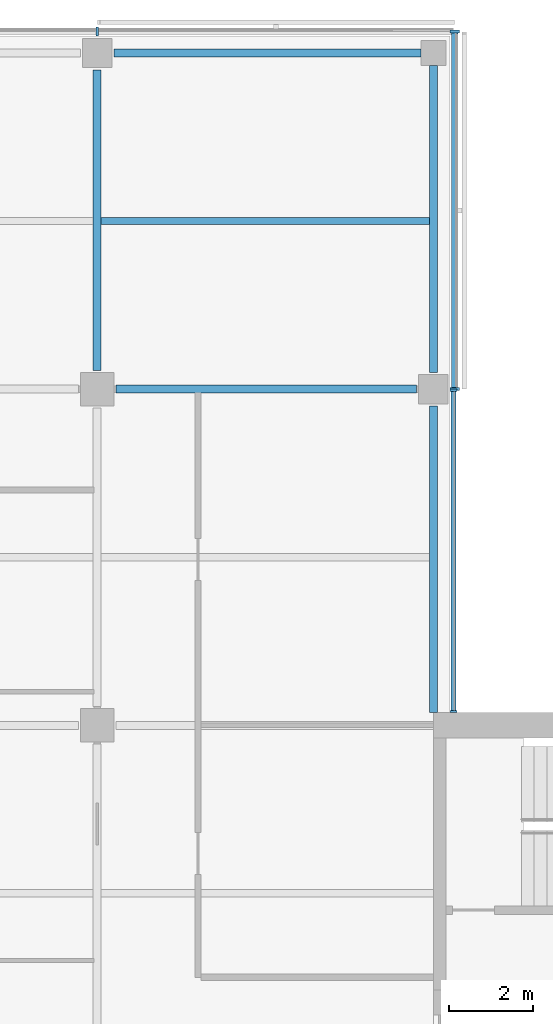
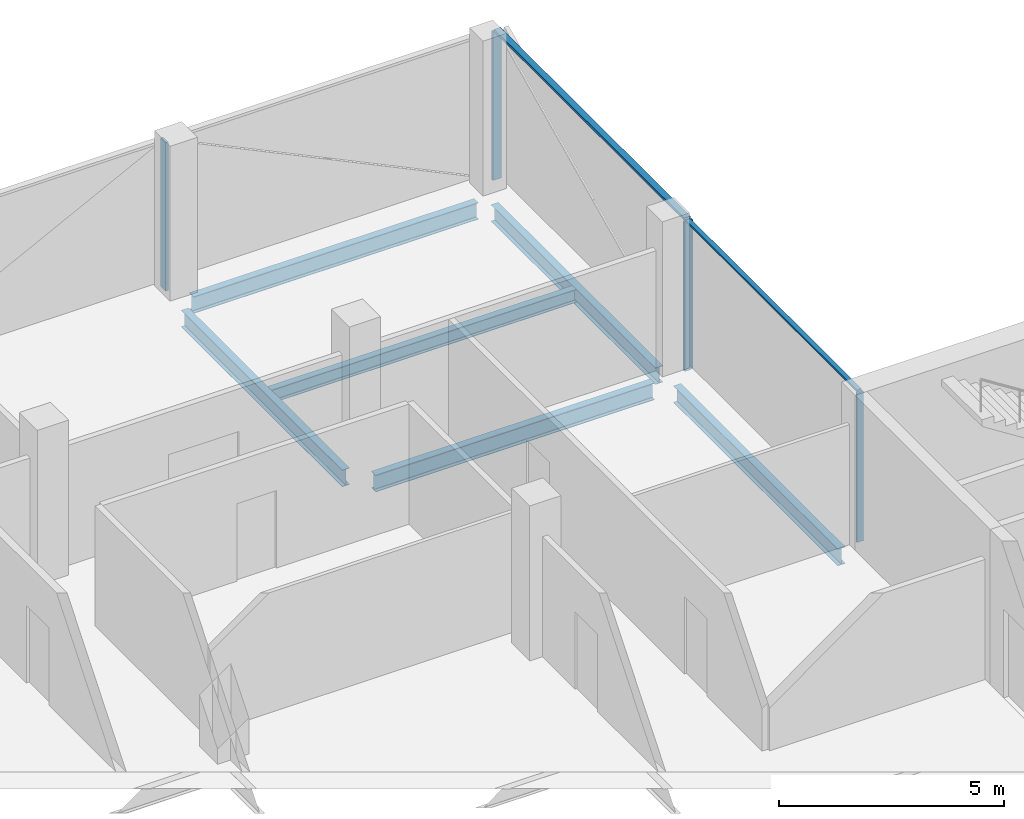
# One storey, part 7 of 15: 7 members, 6 beams, 3 elements without a shape of their own.
"""IFC4 building model written with IfcOpenShell, lengths in metres."""

from ifc_helpers import new_model, si_unit, direction, frame, origin, origin_2d, place, context, subcontext, project, spatial, rectangle, i_section, extrude, material, material_profile, profile_set, type_object, element, aggregate, save


model = new_model("IFC4")

# Units and contexts
model_context = context("Model", 3, precision=1e-05, world=origin(), true_north=direction((0.0, 1.0)))
body_context = subcontext(model_context, "Body", "Model", "MODEL_VIEW")
ifc_project = project(units=[si_unit("LENGTHUNIT", "METRE"), si_unit("AREAUNIT", "SQUARE_METRE"), si_unit("VOLUMEUNIT", "CUBIC_METRE"), si_unit("PLANEANGLEUNIT", "RADIAN"), si_unit("MASSUNIT", "GRAM", prefix="KILO")], contexts=[model_context])

# Site, building, storey
site_placement = place(None, origin())
site = spatial("IfcSite", under=ifc_project, at=site_placement, CompositionType="ELEMENT")
building_placement = place(site_placement, origin())
building = spatial("IfcBuilding", under=site, at=building_placement, Name="Crosswind Convention Tower", CompositionType="ELEMENT")
storey_placement = place(building_placement, frame((0.0, 0.0, 233.5)))
storey = spatial("IfcBuildingStorey", under=building, at=storey_placement, Name="L50", CompositionType="ELEMENT", Elevation=233.5)

# Beams
ifc_material_1 = material(Name="Steel S355", Category="steel")
ifc_material_profile_1 = material_profile(ifc_material_1, i_section(OverallWidth=0.18994140625, OverallDepth=0.45361328125, WebThickness=0.008544921875, FlangeThickness=0.0126953125, FilletRadius=0.01025390625, at=origin_2d()), Name="UB 457x191x67")
ifc_profile_set_1 = profile_set([ifc_material_profile_1], Name="Steel S355")
beam_type_1 = type_object("IfcBeamType", Name="Edge beam UB 457x191x67", PredefinedType="SPANDREL", material=ifc_profile_set_1)
for number, where, z_axis, x_axis, name in (
    (1, (129.39990234375, 128.0, -0.52685546875), (1.0, 0.0, 0.0), (0.0, 1.0, 0.0), "B16 L50 edge beam 10"),
    (2, (137.0, 112.300048828125, -0.52685546875), (0.0, 1.0, 0.0), (-1.0, 0.0, 0.0), "B16 L50 edge beam 13"),
    (3, (137.0, 120.39990234375, -0.52685546875), (0.0, 1.0, 0.0), (-1.0, 0.0, 0.0), "B16 L50 edge beam 14"),
):
    element("IfcBeam", number, at=place(storey_placement, frame(where, z_axis=z_axis, x_axis=x_axis)), inside=storey, type_object=beam_type_1, Name=name, PredefinedType="SPANDREL", context=body_context, shape_type="SweptSolid", body=[
        extrude(i_section(OverallWidth=0.18994140625, OverallDepth=0.45361328125, WebThickness=0.008544921875, FlangeThickness=0.0126953125, FilletRadius=0.01025390625, at=origin_2d()), origin(), (0.0, 0.0, 1.0), 7.300048828125),
    ])
ifc_material_profile_2 = material_profile(ifc_material_1, i_section(OverallWidth=0.1904296875, OverallDepth=0.457275390625, WebThickness=0.009033203125, FlangeThickness=0.014404296875, FilletRadius=0.01025390625, at=origin_2d()), Name="UB 457x191x75")
ifc_profile_set_2 = profile_set([ifc_material_profile_2], Name="Steel S355")
beam_type_2 = type_object("IfcBeamType", Name="Girder UB 457x191x75", PredefinedType="BEAM", material=ifc_profile_set_2)
for number, where, z_axis, x_axis, name in (
    (4, (129.0, 120.449951171875, -0.528564453125), (0.0, 1.0, 0.0), (-1.0, 0.0, 0.0), "B2 L50 girder 22"),
    (5, (129.449951171875, 120.0, -0.528564453125), (1.0, 0.0, 0.0), (0.0, 1.0, 0.0), "B2 L50 girder 24"),
):
    element("IfcBeam", number, at=place(storey_placement, frame(where, z_axis=z_axis, x_axis=x_axis)), inside=storey, type_object=beam_type_2, Name=name, PredefinedType="BEAM", context=body_context, shape_type="SweptSolid", body=[
        extrude(i_section(OverallWidth=0.1904296875, OverallDepth=0.457275390625, WebThickness=0.009033203125, FlangeThickness=0.014404296875, FilletRadius=0.01025390625, at=origin_2d()), origin(), (0.0, 0.0, 1.0), 7.150146484375),
    ])

# Curtain wall, members
ifc_material_2 = material(Name="Aluminium unitised curtain wall", Category="aluminium")
curtain_wall_type_1 = type_object("IfcCurtainWallType", Name="CORE END SLOT WALL 160", PredefinedType="USERDEFINED", material=ifc_material_2)
curtain_wall_1_placement = place(storey_placement, origin())
curtain_wall_1 = element("IfcCurtainWall", 6, at=curtain_wall_1_placement, inside=storey, type_object=curtain_wall_type_1, Name="CW6 L50 N-E.1-1 slot", ObjectType="UNITISED", PredefinedType="USERDEFINED")
ifc_material_3 = material(Name="Aluminium mullion", Category="aluminium")
ifc_material_profile_3 = material_profile(ifc_material_3, rectangle(XDim=0.159912109375, YDim=0.050048828125, at=origin_2d()), Name="AL 160X50")
ifc_profile_set_3 = profile_set([ifc_material_profile_3], Name="Aluminium mullion")
member_type_1 = type_object("IfcMemberType", Name="MULLION 50X160", PredefinedType="MULLION", material=ifc_profile_set_3)
member_1_placement = place(storey_placement, frame((137.47998046875, 112.324951171875, -0.300048828125), z_axis=(0.0, 0.0, 1.0), x_axis=(1.0, 0.0, 0.0)))
member_1 = element("IfcMember", 7, at=member_1_placement, type_object=member_type_1, Name="CW6 mullion 1", PredefinedType="MULLION", context=body_context, shape_type="SweptSolid", body=[
    extrude(rectangle(XDim=0.159912109375, YDim=0.050048828125, at=origin_2d()), origin(), (0.0, 0.0, 1.0), 4.050048828125),
])
member_2_placement = place(storey_placement, frame((137.47998046875, 119.97509765625, -0.300048828125), z_axis=(0.0, 0.0, 1.0), x_axis=(1.0, 0.0, 0.0)))
member_2 = element("IfcMember", 8, at=member_2_placement, type_object=member_type_1, Name="CW6 mullion 2", PredefinedType="MULLION", context=body_context, shape_type="SweptSolid", body=[
    extrude(rectangle(XDim=0.159912109375, YDim=0.050048828125, at=origin_2d()), origin(), (0.0, 0.0, 1.0), 4.050048828125),
])

curtain_wall_type_2 = type_object("IfcCurtainWallType", Name="OFFICE UNITISED WALL 220", PredefinedType="USERDEFINED", material=ifc_material_2)
curtain_wall_2_placement = place(storey_placement, origin())
curtain_wall_2 = element("IfcCurtainWall", 9, at=curtain_wall_2_placement, inside=storey, type_object=curtain_wall_type_2, Name="CW3 L50 N-E 1", ObjectType="UNITISED", PredefinedType="USERDEFINED")
ifc_material_profile_4 = material_profile(ifc_material_3, rectangle(XDim=0.219970703125, YDim=0.070068359375, at=origin_2d()), Name="AL 220X70")
ifc_profile_set_4 = profile_set([ifc_material_profile_4], Name="Aluminium mullion")
member_type_2 = type_object("IfcMemberType", Name="MULLION 70X220", PredefinedType="MULLION", material=ifc_profile_set_4)
member_3_placement = place(storey_placement, frame((137.510009765625, 120.0, -0.300048828125), z_axis=(0.0, 0.0, 1.0), x_axis=(1.0, 0.0, 0.0)))
member_3 = element("IfcMember", 10, at=member_3_placement, type_object=member_type_2, Name="CW3 mullion 1", PredefinedType="MULLION", context=body_context, shape_type="SweptSolid", body=[
    extrude(rectangle(XDim=0.219970703125, YDim=0.070068359375, at=origin_2d()), origin(), (0.0, 0.0, 1.0), 4.030029296875),
])
member_4_placement = place(storey_placement, frame((137.510009765625, 128.510009765625, -0.300048828125), z_axis=(0.0, 0.0, 1.0), x_axis=(1.0, 0.0, 0.0)))
member_4 = element("IfcMember", 11, at=member_4_placement, type_object=member_type_2, Name="CW3 mullion 2", PredefinedType="MULLION", context=body_context, shape_type="SweptSolid", body=[
    extrude(rectangle(XDim=0.219970703125, YDim=0.070068359375, at=origin_2d()), origin(), (0.0, 0.0, 1.0), 4.030029296875),
])

# Curtain wall, member
curtain_wall_3_placement = place(storey_placement, origin())
curtain_wall_3 = element("IfcCurtainWall", 12, at=curtain_wall_3_placement, inside=storey, type_object=curtain_wall_type_2, Name="CW3 L50 N-TIP 1", ObjectType="UNITISED", PredefinedType="USERDEFINED")
member_5_placement = place(storey_placement, frame((129.0, 128.510009765625, -0.300048828125), z_axis=(0.0, 0.0, 1.0), x_axis=(0.0, 1.0, 0.0)))
member_5 = element("IfcMember", 13, at=member_5_placement, type_object=member_type_2, Name="CW3 mullion 2", PredefinedType="MULLION", context=body_context, shape_type="SweptSolid", body=[
    extrude(rectangle(XDim=0.219970703125, YDim=0.070068359375, at=origin_2d()), origin(), (0.0, 0.0, 1.0), 4.030029296875),
])
aggregate(curtain_wall_3, [member_5])

# Beam
ifc_material_profile_5 = material_profile(ifc_material_1, i_section(OverallWidth=0.172119140625, OverallDepth=0.358642578125, WebThickness=0.008056640625, FlangeThickness=0.012939453125, FilletRadius=0.01025390625, at=origin_2d()), Name="UB 356x171x57")
ifc_profile_set_5 = profile_set([ifc_material_profile_5], Name="Steel S355")
beam_type_3 = type_object("IfcBeamType", Name="Secondary beam UB 356x171x57", PredefinedType="JOIST", material=ifc_profile_set_5)
beam_placement = place(storey_placement, frame((129.09521484375, 124.0, -0.479248046875), z_axis=(1.0, 0.0, 0.0), x_axis=(0.0, 1.0, 0.0)))
element("IfcBeam", 14, at=beam_placement, inside=storey, type_object=beam_type_3, Name="B9 L50 secondary beam 21", PredefinedType="JOIST", context=body_context, shape_type="SweptSolid", body=[
    extrude(i_section(OverallWidth=0.172119140625, OverallDepth=0.358642578125, WebThickness=0.008056640625, FlangeThickness=0.012939453125, FilletRadius=0.01025390625, at=origin_2d()), origin(), (0.0, 0.0, 1.0), 7.809814453125),
])

# Member
ifc_material_4 = material(Name="Aluminium transom", Category="aluminium")
ifc_material_profile_6 = material_profile(ifc_material_4, rectangle(XDim=0.1201171875, YDim=0.050048828125, at=origin_2d()), Name="AL 120X50")
ifc_profile_set_6 = profile_set([ifc_material_profile_6], Name="Aluminium transom")
member_type_3 = type_object("IfcMemberType", Name="TRANSOM 50X120", PredefinedType="USERDEFINED", material=ifc_profile_set_6)
member_6_placement = place(storey_placement, frame((137.47998046875, 112.35009765625, 3.77490234375), z_axis=(0.0, 1.0, 0.0), x_axis=(-1.0, 0.0, 0.0)))
member_6 = element("IfcMember", 15, at=member_6_placement, type_object=member_type_3, Name="CW6 transom", ObjectType="TRANSOM", PredefinedType="USERDEFINED", context=body_context, shape_type="SweptSolid", body=[
    extrude(rectangle(XDim=0.1201171875, YDim=0.050048828125, at=origin_2d()), origin(), (0.0, 0.0, 1.0), 7.599853515625),
])

aggregate(curtain_wall_1, [member_1, member_2, member_6])

ifc_material_profile_7 = material_profile(ifc_material_4, rectangle(XDim=0.159912109375, YDim=0.070068359375, at=origin_2d()), Name="AL 160X70")
ifc_profile_set_7 = profile_set([ifc_material_profile_7], Name="Aluminium transom")
member_type_4 = type_object("IfcMemberType", Name="TRANSOM 70X160", PredefinedType="USERDEFINED", material=ifc_profile_set_7)
member_7_placement = place(storey_placement, frame((137.510009765625, 120.034912109375, 3.764892578125), z_axis=(0.0, 1.0, 0.0), x_axis=(-1.0, 0.0, 0.0)))
member_7 = element("IfcMember", 16, at=member_7_placement, type_object=member_type_4, Name="CW3 transom", ObjectType="TRANSOM", PredefinedType="USERDEFINED", context=body_context, shape_type="SweptSolid", body=[
    extrude(rectangle(XDim=0.159912109375, YDim=0.070068359375, at=origin_2d()), origin(), (0.0, 0.0, 1.0), 8.440185546875),
])

aggregate(curtain_wall_2, [member_3, member_4, member_7])

save(model, "model.ifc")
